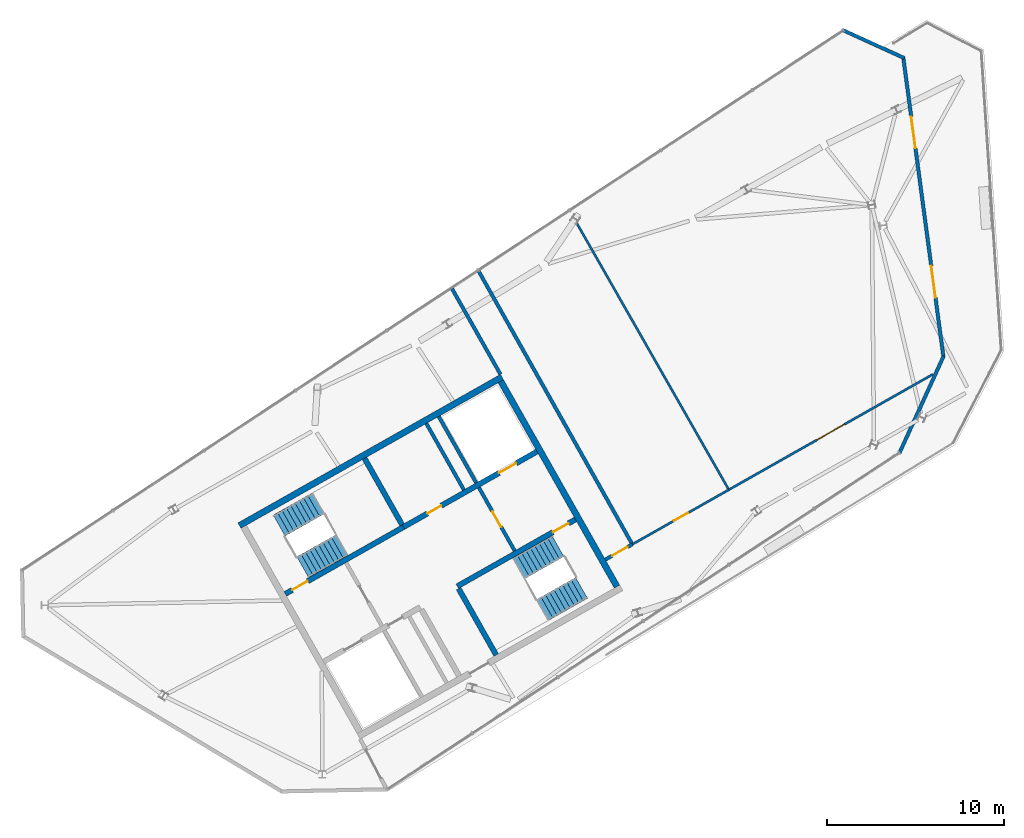
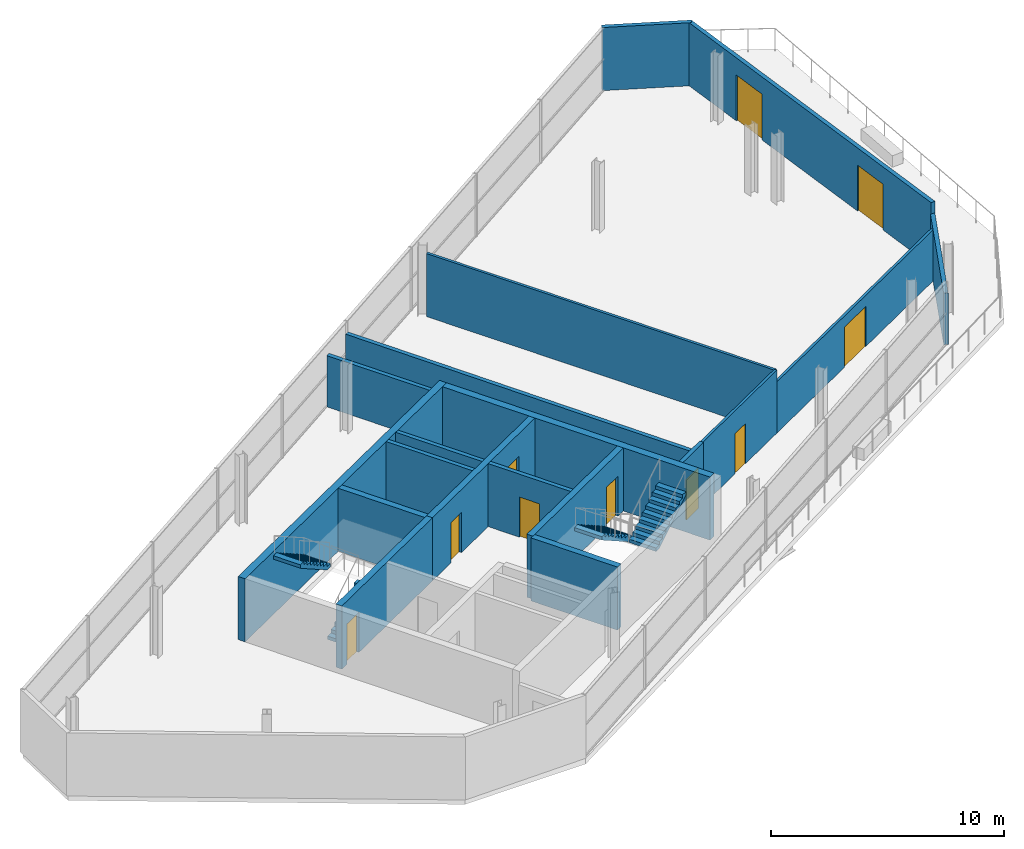
# One storey, part 8 of 10: 19 walls, 10 doors, 4 stair flights, 10 openings, 2 elements without a shape of their own.
"""IFC4 building model written with IfcOpenShell, lengths in metres."""

from ifc_helpers import new_model, si_unit, direction, frame, frame_2d, origin, place, context, subcontext, project, spatial, polyline, rectangle, outline, extrude, material, layer, layer_set, type_object, element, fill, aggregate, save


model = new_model("IFC4")

# Units and contexts
model_context = context("Model", 3, precision=1e-05, world=origin(), true_north=direction((0.0, 1.0)))
body_context = subcontext(model_context, "Body", "Model", "MODEL_VIEW")
ifc_project = project(units=[si_unit("LENGTHUNIT", "METRE"), si_unit("AREAUNIT", "SQUARE_METRE"), si_unit("VOLUMEUNIT", "CUBIC_METRE"), si_unit("PLANEANGLEUNIT", "RADIAN"), si_unit("MASSUNIT", "GRAM", prefix="KILO")], contexts=[model_context])

# Site, building, storey
site_placement = place(None, origin())
site = spatial("IfcSite", under=ifc_project, at=site_placement, CompositionType="ELEMENT")
building_placement = place(site_placement, origin())
building = spatial("IfcBuilding", under=site, at=building_placement, Name="Binnacle Exchange Tower", CompositionType="ELEMENT")
storey_placement = place(building_placement, frame((0.0, 0.0, 354.10009765625)))
storey = spatial("IfcBuildingStorey", under=building, at=storey_placement, Name="L81", CompositionType="ELEMENT", Elevation=354.10009765625)

# Wall, openings, doors
ifc_material_1 = material(Name="Concrete C70/85", Category="concrete")
ifc_layer_1 = layer(ifc_material_1, 0.300048828125)
ifc_layer_set_1 = layer_set([ifc_layer_1], Name="Core wall - front 300")
wall_type_1 = type_object("IfcWallType", Name="Core wall - front 300", PredefinedType="SOLIDWALL", material=ifc_layer_set_1)
wall_1_placement = place(storey_placement, frame((-37.281982421875, 41.4345703125, 0.0), z_axis=(0.0, 0.0, 1.0), x_axis=(0.870364588774, 0.492407841741, 0.0)))
wall_1 = element("IfcWall", 1, at=wall_1_placement, inside=storey, type_object=wall_type_1, Name="Core wall CRWA5", PredefinedType="SOLIDWALL", context=body_context, shape_type="SweptSolid", body=[
    extrude(rectangle(XDim=8.64990234375, YDim=0.300048828125, at=frame_2d((4.324951171875, 0.0))), origin(), (0.0, 0.0, 1.0), 3.2998046875),
])
opening_1_placement = place(wall_1_placement, frame((6.199951171875, 0.0, 0.0)))
opening_1 = element("IfcOpeningElement", 2, at=opening_1_placement, cuts=wall_1, Name="Opening LD13", PredefinedType="OPENING", context=body_context, shape_type="SweptSolid", body=[
    extrude(rectangle(XDim=1.10009765625, YDim=2.10009765625, at=frame_2d((0.550048828125, 1.050048828125))), frame((0.0, 0.159912109375, 0.0), z_axis=(0.0, -1.0, 0.0), x_axis=(1.0, 0.0, 0.0)), (0.0, 0.0, 1.0), 0.320068359375),
])
opening_2_placement = place(wall_1_placement, frame((1.550048828125, 0.0, 0.0)))
opening_2 = element("IfcOpeningElement", 3, at=opening_2_placement, cuts=wall_1, Name="Opening DA10", PredefinedType="OPENING", context=body_context, shape_type="SweptSolid", body=[
    extrude(rectangle(XDim=0.89990234375, YDim=2.10009765625, at=frame_2d((0.449951171875, 1.050048828125))), frame((0.0, 0.159912109375, 0.0), z_axis=(0.0, -1.0, 0.0), x_axis=(1.0, 0.0, 0.0)), (0.0, 0.0, 1.0), 0.320068359375),
])
ifc_material_2 = material(Name="Steel door leaf", Category="steel")
door_type_1 = type_object("IfcDoorType", Name="Fire door - lift landing 1100", OperationType="NOTDEFINED", PredefinedType="DOOR", material=ifc_material_2)
door_1_placement = place(opening_1_placement, origin())
door_1 = element("IfcDoor", 4, at=door_1_placement, inside=storey, type_object=door_type_1, Name="Landing door LD13 L81", OperationType="DOUBLE_DOOR_SLIDING", OverallHeight=2.10009765625, OverallWidth=1.10009765625, PredefinedType="DOOR", context=body_context, shape_type="SweptSolid", body=[
    extrude(rectangle(XDim=1.10009765625, YDim=2.10009765625, at=frame_2d((0.550048828125, 1.050048828125))), frame((0.0, 0.02490234375, 0.0), z_axis=(0.0, -1.0, 0.0), x_axis=(1.0, 0.0, 0.0)), (0.0, 0.0, 1.0), 0.050048828125),
])
fill(opening_1, door_1)
door_type_2 = type_object("IfcDoorType", Name="Fire door 900", OperationType="NOTDEFINED", PredefinedType="DOOR", material=ifc_material_2)
door_2_placement = place(opening_2_placement, origin())
door_2 = element("IfcDoor", 5, at=door_2_placement, inside=storey, type_object=door_type_2, Name="Core room door PANTRY", OperationType="SINGLE_SWING_LEFT", OverallHeight=2.10009765625, OverallWidth=0.89990234375, PredefinedType="DOOR", context=body_context, shape_type="SweptSolid", body=[
    extrude(rectangle(XDim=0.89990234375, YDim=2.10009765625, at=frame_2d((0.449951171875, 1.050048828125))), frame((0.0, 0.02490234375, 0.0), z_axis=(0.0, -1.0, 0.0), x_axis=(1.0, 0.0, 0.0)), (0.0, 0.0, 1.0), 0.050048828125),
])
fill(opening_2, door_2)

# Walls
ifc_layer_2 = layer(ifc_material_1, 0.35009765625)
ifc_layer_set_2 = layer_set([ifc_layer_2], Name="Core wall - outer 350")
wall_type_2 = type_object("IfcWallType", Name="Core wall - outer 350", PredefinedType="SOLIDWALL", material=ifc_layer_set_2)
wall_2_placement = place(storey_placement, frame((-46.5224609375, 41.5205078125, 0.0), z_axis=(0.0, 0.0, 1.0), x_axis=(0.870359753402, 0.492416388494, 0.0)))
element("IfcWall", 6, at=wall_2_placement, inside=storey, type_object=wall_type_2, Name="Core wall CRWA6", PredefinedType="SOLIDWALL", context=body_context, shape_type="SweptSolid", body=[
    extrude(rectangle(XDim=17.0, YDim=0.35009765625, at=frame_2d((8.5, 0.0))), origin(), (0.0, 0.0, 1.0), 3.2998046875),
])
wall_3_placement = place(storey_placement, frame((-31.79248046875, 49.6533203125, 0.0), z_axis=(0.0, 0.0, 1.0), x_axis=(0.492421943245, -0.870356610712, 0.0)))
element("IfcWall", 7, at=wall_3_placement, inside=storey, type_object=wall_type_2, Name="Core wall CRWA22", PredefinedType="SOLIDWALL", context=body_context, shape_type="SweptSolid", body=[
    extrude(rectangle(XDim=13.30029296875, YDim=0.35009765625, at=frame_2d((6.650146484375, 0.0))), origin(), (0.0, 0.0, 1.0), 3.2998046875),
])

# Wall, opening, door
ifc_layer_3 = layer(ifc_material_1, 0.300048828125)
ifc_layer_set_3 = layer_set([ifc_layer_3], Name="Core wall - stair 300")
wall_type_3 = type_object("IfcWallType", Name="Core wall - stair 300", PredefinedType="SOLIDWALL", material=ifc_layer_set_3)
wall_4_placement = place(storey_placement, frame((-34.2451171875, 38.097412109375, 0.0), z_axis=(0.0, 0.0, 1.0), x_axis=(0.870352347706, 0.49242947804, 0.0)))
wall_4 = element("IfcWall", 8, at=wall_4_placement, inside=storey, type_object=wall_type_3, Name="Core wall CRWA3", PredefinedType="SOLIDWALL", context=body_context, shape_type="SweptSolid", body=[
    extrude(rectangle(XDim=7.64990234375, YDim=0.300048828125, at=frame_2d((3.824951171875, 0.0))), origin(), (0.0, 0.0, 1.0), 3.2998046875),
])
opening_3_placement = place(wall_4_placement, frame((6.199951171875, 0.0, 0.0)))
opening_3 = element("IfcOpeningElement", 9, at=opening_3_placement, cuts=wall_4, Name="Opening DA2", PredefinedType="OPENING", context=body_context, shape_type="SweptSolid", body=[
    extrude(rectangle(XDim=1.0, YDim=2.10009765625, at=frame_2d((0.5, 1.050048828125))), frame((0.0, 0.159912109375, 0.0), z_axis=(0.0, -1.0, 0.0), x_axis=(1.0, 0.0, 0.0)), (0.0, 0.0, 1.0), 0.320068359375),
])
door_type_3 = type_object("IfcDoorType", Name="Fire door 1000", OperationType="NOTDEFINED", PredefinedType="DOOR", material=ifc_material_2)
door_3_placement = place(opening_3_placement, frame((1.0, 0.0, 0.0), z_axis=(0.0, 0.0, 1.0), x_axis=(-1.0, 0.0, 0.0)))
door_3 = element("IfcDoor", 10, at=door_3_placement, inside=storey, type_object=door_type_3, Name="Stair door ST-A2", OperationType="SINGLE_SWING_LEFT", OverallHeight=2.10009765625, OverallWidth=1.0, PredefinedType="DOOR", context=body_context, shape_type="SweptSolid", body=[
    extrude(rectangle(XDim=1.0, YDim=2.10009765625, at=frame_2d((0.5, 1.050048828125))), frame((0.0, 0.02490234375, 0.0), z_axis=(0.0, -1.0, 0.0), x_axis=(1.0, 0.0, 0.0)), (0.0, 0.0, 1.0), 0.050048828125),
])
fill(opening_3, door_3)

wall_5_placement = place(storey_placement, frame((-43.940185546875, 37.66748046875, 0.0), z_axis=(0.0, 0.0, 1.0), x_axis=(0.870352347706, 0.49242947804, 0.0)))
wall_5 = element("IfcWall", 11, at=wall_5_placement, inside=storey, type_object=wall_type_3, Name="Core wall CRWA4", PredefinedType="SOLIDWALL", context=body_context, shape_type="SweptSolid", body=[
    extrude(rectangle(XDim=7.64990234375, YDim=0.300048828125, at=frame_2d((3.824951171875, 0.0))), origin(), (0.0, 0.0, 1.0), 3.2998046875),
])
opening_4_placement = place(wall_5_placement, frame((0.449951171875, 0.0, 0.0)))
opening_4 = element("IfcOpeningElement", 12, at=opening_4_placement, cuts=wall_5, Name="Opening DA1", PredefinedType="OPENING", context=body_context, shape_type="SweptSolid", body=[
    extrude(rectangle(XDim=1.0, YDim=2.10009765625, at=frame_2d((0.5, 1.050048828125))), frame((0.0, 0.159912109375, 0.0), z_axis=(0.0, -1.0, 0.0), x_axis=(1.0, 0.0, 0.0)), (0.0, 0.0, 1.0), 0.320068359375),
])
door_4_placement = place(opening_4_placement, origin())
door_4 = element("IfcDoor", 13, at=door_4_placement, inside=storey, type_object=door_type_3, Name="Stair door ST-A1", OperationType="SINGLE_SWING_LEFT", OverallHeight=2.10009765625, OverallWidth=1.0, PredefinedType="DOOR", context=body_context, shape_type="SweptSolid", body=[
    extrude(rectangle(XDim=1.0, YDim=2.10009765625, at=frame_2d((0.5, 1.050048828125))), frame((0.0, 0.02490234375, 0.0), z_axis=(0.0, -1.0, 0.0), x_axis=(1.0, 0.0, 0.0)), (0.0, 0.0, 1.0), 0.050048828125),
])
fill(opening_4, door_4)

# Walls
wall_6_placement = place(storey_placement, frame((-39.473388671875, 45.3076171875, 0.0), z_axis=(0.0, 0.0, 1.0), x_axis=(0.492410799949, -0.870362915164, 0.0)))
element("IfcWall", 14, at=wall_6_placement, inside=storey, type_object=wall_type_3, Name="Core wall CRWA14", PredefinedType="SOLIDWALL", context=body_context, shape_type="SweptSolid", body=[
    extrude(rectangle(XDim=4.300048828125, YDim=0.300048828125, at=frame_2d((2.14990234375, 0.0))), origin(), (0.0, 0.0, 1.0), 3.2998046875),
])
wall_7_placement = place(storey_placement, frame((-34.171142578125, 37.966796875, 0.0), z_axis=(0.0, 0.0, 1.0), x_axis=(0.492435133428, -0.870349147967, 0.0)))
element("IfcWall", 15, at=wall_7_placement, inside=storey, type_object=wall_type_3, Name="Core wall CRWA16", PredefinedType="SOLIDWALL", context=body_context, shape_type="SweptSolid", body=[
    extrude(rectangle(XDim=4.2998046875, YDim=0.300048828125, at=frame_2d((2.14990234375, 0.0))), origin(), (0.0, 0.0, 1.0), 3.2998046875),
])
ifc_material_3 = material(Name="Bronze aluminium louvre", Category="aluminium")
ifc_layer_4 = layer(ifc_material_3, 0.199951171875)
ifc_layer_set_4 = layer_set([ifc_layer_4], Name="External wall - crown louvre 200")
wall_type_4 = type_object("IfcWallType", Name="External wall - crown louvre 200", PredefinedType="STANDARD", material=ifc_layer_set_4)
wall_8_placement = place(storey_placement, frame((-6.834228515625, 51.069091796875, 0.0), z_axis=(0.0, 0.0, 1.0), x_axis=(-0.415043982488, -0.909801347878, 0.0)))
element("IfcWall", 16, at=wall_8_placement, inside=storey, type_object=wall_type_4, Name="External wall EW-C200 L81", PredefinedType="STANDARD", context=body_context, shape_type="SweptSolid", body=[
    extrude(rectangle(XDim=6.030517578125, YDim=0.199951171875, at=frame_2d((3.01513671875, 0.0))), origin(), (0.0, 0.0, 1.0), 2.699951171875),
])

# Wall, openings, doors
wall_9_placement = place(storey_placement, frame((-9.113525390625, 67.94677734375, 0.0), z_axis=(0.0, 0.0, 1.0), x_axis=(0.132931254717, -0.991125260257, 0.0)))
wall_9 = element("IfcWall", 17, at=wall_9_placement, inside=storey, type_object=wall_type_4, Name="External wall EW-C201 L81", PredefinedType="STANDARD", context=body_context, shape_type="SweptSolid", body=[
    extrude(rectangle(XDim=17.083984375, YDim=0.199951171875, at=frame_2d((8.5419921875, 0.0))), origin(), (0.0, 0.0, 1.0), 3.2998046875),
])
opening_5_placement = place(wall_9_placement, frame((11.9052734375, 0.0, 0.0)))
opening_5 = element("IfcOpeningElement", 18, at=opening_5_placement, cuts=wall_9, Name="Opening D-FS25-01", PredefinedType="OPENING", context=body_context, shape_type="SweptSolid", body=[
    extrude(rectangle(XDim=1.800048828125, YDim=2.39990234375, at=frame_2d((0.89990234375, 1.199951171875))), frame((0.0, 0.10986328125, 0.0), z_axis=(0.0, -1.0, 0.0), x_axis=(1.0, 0.0, 0.0)), (0.0, 0.0, 1.0), 0.219970703125),
])
opening_6_placement = place(wall_9_placement, frame((3.4052734375, 0.0, 0.0)))
opening_6 = element("IfcOpeningElement", 19, at=opening_6_placement, cuts=wall_9, Name="Opening D-FS25-02", PredefinedType="OPENING", context=body_context, shape_type="SweptSolid", body=[
    extrude(rectangle(XDim=1.800048828125, YDim=2.39990234375, at=frame_2d((0.89990234375, 1.199951171875))), frame((0.0, 0.10986328125, 0.0), z_axis=(0.0, -1.0, 0.0), x_axis=(1.0, 0.0, 0.0)), (0.0, 0.0, 1.0), 0.219970703125),
])
ifc_material_4 = material(Name="Bronze anodised aluminium frame", Category="aluminium")
door_type_4 = type_object("IfcDoorType", Name="DT DOOR 1800x2400", OperationType="DOUBLE_DOOR_SINGLE_SWING", PredefinedType="DOOR", material=ifc_material_4)
door_5_placement = place(opening_5_placement, origin())
door_5 = element("IfcDoor", 20, at=door_5_placement, inside=storey, type_object=door_type_4, Name="Door D-FS25-01 L81", OperationType="DOUBLE_DOOR_SINGLE_SWING", OverallHeight=2.39990234375, OverallWidth=1.800048828125, PredefinedType="DOOR", context=body_context, shape_type="SweptSolid", body=[
    extrude(rectangle(XDim=1.800048828125, YDim=2.39990234375, at=frame_2d((0.89990234375, 1.199951171875))), frame((0.0, 0.02490234375, 0.0), z_axis=(0.0, -1.0, 0.0), x_axis=(1.0, 0.0, 0.0)), (0.0, 0.0, 1.0), 0.050048828125),
])
fill(opening_5, door_5)
door_6_placement = place(opening_6_placement, origin())
door_6 = element("IfcDoor", 21, at=door_6_placement, inside=storey, type_object=door_type_4, Name="Door D-FS25-02 L81", OperationType="DOUBLE_DOOR_SINGLE_SWING", OverallHeight=2.39990234375, OverallWidth=1.800048828125, PredefinedType="DOOR", context=body_context, shape_type="SweptSolid", body=[
    extrude(rectangle(XDim=1.800048828125, YDim=2.39990234375, at=frame_2d((0.89990234375, 1.199951171875))), frame((0.0, 0.02490234375, 0.0), z_axis=(0.0, -1.0, 0.0), x_axis=(1.0, 0.0, 0.0)), (0.0, 0.0, 1.0), 0.050048828125),
])
fill(opening_6, door_6)

# Walls
wall_10_placement = place(storey_placement, frame((-12.5732421875, 69.4736328125, 0.0), z_axis=(0.0, 0.0, 1.0), x_axis=(0.909798966616, -0.415049202318, 0.0)))
element("IfcWall", 22, at=wall_10_placement, inside=storey, type_object=wall_type_4, Name="External wall EW-C202 L81", PredefinedType="STANDARD", context=body_context, shape_type="SweptSolid", body=[
    extrude(rectangle(XDim=3.86572265625, YDim=0.199951171875, at=frame_2d((1.932861328125, 0.0))), origin(), (0.0, 0.0, 1.0), 3.2998046875),
])
ifc_material_5 = material(Name="Masonry block wall", Category="masonry")
ifc_layer_5 = layer(ifc_material_5, 0.199951171875)
ifc_layer_set_5 = layer_set([ifc_layer_5], Name="Fire wall - block 200")
wall_type_5 = type_object("IfcWallType", Name="Fire wall - block 200", PredefinedType="PARTITIONING", material=ifc_layer_set_5)
wall_11_placement = place(storey_placement, frame((-34.5439453125, 54.873046875, 0.0), z_axis=(0.0, 0.0, 1.0), x_axis=(0.492390708412, -0.870374281714, 0.0)))
element("IfcWall", 23, at=wall_11_placement, inside=storey, type_object=wall_type_5, Name="Partition W02", PredefinedType="PARTITIONING", context=body_context, shape_type="SweptSolid", body=[
    extrude(rectangle(XDim=5.54833984375, YDim=0.199951171875, at=frame_2d((2.774169921875, 0.0))), origin(), (0.0, 0.0, 1.0), 2.679931640625),
])
wall_12_placement = place(storey_placement, frame((-33.0419921875, 55.860107421875, 0.0), z_axis=(0.0, 0.0, 1.0), x_axis=(0.490288138745, -0.871560405828, 0.0)))
element("IfcWall", 24, at=wall_12_placement, inside=storey, type_object=wall_type_5, Name="Partition W03", PredefinedType="PARTITIONING", context=body_context, shape_type="SweptSolid", body=[
    extrude(rectangle(XDim=17.66748046875, YDim=0.199951171875, at=frame_2d((8.833740234375, 0.0))), origin(), (0.0, 0.0, 1.0), 2.679931640625),
])

# Wall, opening, door
wall_13_placement = place(storey_placement, frame((-25.904052734375, 39.60009765625, 0.0), z_axis=(0.0, 0.0, 1.0), x_axis=(0.870482323294, 0.492199679838, 0.0)))
wall_13 = element("IfcWall", 25, at=wall_13_placement, inside=storey, type_object=wall_type_5, Name="Partition W05", PredefinedType="PARTITIONING", context=body_context, shape_type="SweptSolid", body=[
    extrude(rectangle(XDim=1.7509765625, YDim=0.199951171875, at=frame_2d((0.87548828125, 0.0))), origin(), (0.0, 0.0, 1.0), 3.2998046875),
])
opening_7_placement = place(wall_13_placement, frame((0.449951171875, 0.0, 0.0)))
opening_7 = element("IfcOpeningElement", 26, at=opening_7_placement, cuts=wall_13, Name="Opening DL81-01", PredefinedType="OPENING", context=body_context, shape_type="SweptSolid", body=[
    extrude(rectangle(XDim=1.0, YDim=2.10009765625, at=frame_2d((0.5, 1.050048828125))), frame((0.0, 0.10986328125, 0.0), z_axis=(0.0, -1.0, 0.0), x_axis=(1.0, 0.0, 0.0)), (0.0, 0.0, 1.0), 0.219970703125),
])
door_7_placement = place(opening_7_placement, origin())
door_7 = element("IfcDoor", 27, at=door_7_placement, inside=storey, type_object=door_type_3, Name="Door DL81-01", OperationType="SINGLE_SWING_RIGHT", OverallHeight=2.10009765625, OverallWidth=1.0, PredefinedType="DOOR", context=body_context, shape_type="SweptSolid", body=[
    extrude(rectangle(XDim=1.0, YDim=2.10009765625, at=frame_2d((0.5, 1.050048828125))), frame((0.0, 0.02490234375, 0.0), z_axis=(0.0, -1.0, 0.0), x_axis=(1.0, 0.0, 0.0)), (0.0, 0.0, 1.0), 0.050048828125),
])
fill(opening_7, door_7)

ifc_layer_6 = layer(ifc_material_5, 0.199951171875)
ifc_layer_set_6 = layer_set([ifc_layer_6], Name="Fire wall - vestibule 200")
wall_type_6 = type_object("IfcWallType", Name="Fire wall - vestibule 200", PredefinedType="PARTITIONING", material=ifc_layer_set_6)
wall_14_placement = place(storey_placement, frame((-33.030517578125, 43.66748046875, 0.0), z_axis=(0.0, 0.0, 1.0), x_axis=(0.492408451753, -0.87036424366, 0.0)))
wall_14 = element("IfcWall", 28, at=wall_14_placement, inside=storey, type_object=wall_type_6, Name="Core wall CRWA19", PredefinedType="PARTITIONING", context=body_context, shape_type="SweptSolid", body=[
    extrude(rectangle(XDim=4.099853515625, YDim=0.199951171875, at=frame_2d((2.0498046875, 0.0))), origin(), (0.0, 0.0, 1.0), 3.2998046875),
])
opening_8_placement = place(wall_14_placement, frame((1.550048828125, 0.0, 0.0)))
opening_8 = element("IfcOpeningElement", 29, at=opening_8_placement, cuts=wall_14, Name="Opening DA4", PredefinedType="OPENING", context=body_context, shape_type="SweptSolid", body=[
    extrude(rectangle(XDim=1.0, YDim=2.10009765625, at=frame_2d((0.5, 1.050048828125))), frame((0.0, 0.10986328125, 0.0), z_axis=(0.0, -1.0, 0.0), x_axis=(1.0, 0.0, 0.0)), (0.0, 0.0, 1.0), 0.219970703125),
])
door_8_placement = place(opening_8_placement, origin())
door_8 = element("IfcDoor", 30, at=door_8_placement, inside=storey, type_object=door_type_3, Name="Vestibule door VEST-E", OperationType="SINGLE_SWING_RIGHT", OverallHeight=2.10009765625, OverallWidth=1.0, PredefinedType="DOOR", context=body_context, shape_type="SweptSolid", body=[
    extrude(rectangle(XDim=1.0, YDim=2.10009765625, at=frame_2d((0.5, 1.050048828125))), frame((0.0, 0.02490234375, 0.0), z_axis=(0.0, -1.0, 0.0), x_axis=(1.0, 0.0, 0.0)), (0.0, 0.0, 1.0), 0.050048828125),
])
fill(opening_8, door_8)

# Wall
ifc_material_6 = material(Name="Gypsum partition")
ifc_layer_7 = layer(ifc_material_6, 0.125)
ifc_layer_set_7 = layer_set([ifc_layer_7], Name="Partition 125")
wall_type_7 = type_object("IfcWallType", Name="Partition 125", PredefinedType="PARTITIONING", material=ifc_layer_set_7)
wall_15_placement = place(storey_placement, frame((-27.510986328125, 58.56396484375, 0.0), z_axis=(0.0, 0.0, 1.0), x_axis=(0.495459338806, -0.868631132063, 0.0)))
element("IfcWall", 31, at=wall_15_placement, inside=storey, type_object=wall_type_7, Name="Partition W04", PredefinedType="PARTITIONING", context=body_context, shape_type="SweptSolid", body=[
    extrude(rectangle(XDim=17.297119140625, YDim=0.125, at=frame_2d((8.6484375, 0.0))), origin(), (0.0, 0.0, 1.0), 3.2998046875),
])

# Wall, opening, door
wall_16_placement = place(storey_placement, frame((-24.3798828125, 40.4619140625, 0.0), z_axis=(0.0, 0.0, 1.0), x_axis=(0.87036048388, 0.492415097353, 0.0)))
wall_16 = element("IfcWall", 32, at=wall_16_placement, inside=storey, type_object=wall_type_7, Name="Partition W06", PredefinedType="PARTITIONING", context=body_context, shape_type="SweptSolid", body=[
    extrude(rectangle(XDim=6.2490234375, YDim=0.125, at=frame_2d((3.12451171875, 0.0))), origin(), (0.0, 0.0, 1.0), 3.2998046875),
])
opening_9_placement = place(wall_16_placement, frame((2.699951171875, 0.0, 0.0)))
opening_9 = element("IfcOpeningElement", 33, at=opening_9_placement, cuts=wall_16, Name="Opening DL81-02", PredefinedType="OPENING", context=body_context, shape_type="SweptSolid", body=[
    extrude(rectangle(XDim=0.89990234375, YDim=2.10009765625, at=frame_2d((0.449951171875, 1.050048828125))), frame((0.0, 0.072509765625, 0.0), z_axis=(0.0, -1.0, 0.0), x_axis=(1.0, 0.0, 0.0)), (0.0, 0.0, 1.0), 0.14501953125),
])
ifc_material_7 = material(Name="Timber door leaf", Category="wood")
door_type_5 = type_object("IfcDoorType", Name="Door 900", OperationType="NOTDEFINED", PredefinedType="DOOR", material=ifc_material_7)
door_9_placement = place(opening_9_placement, origin())
door_9 = element("IfcDoor", 34, at=door_9_placement, inside=storey, type_object=door_type_5, Name="Door DL81-02", OperationType="SINGLE_SWING_RIGHT", OverallHeight=2.10009765625, OverallWidth=0.89990234375, PredefinedType="DOOR", context=body_context, shape_type="SweptSolid", body=[
    extrude(rectangle(XDim=0.89990234375, YDim=2.10009765625, at=frame_2d((0.449951171875, 1.050048828125))), frame((0.0, 0.02490234375, 0.0), z_axis=(0.0, -1.0, 0.0), x_axis=(1.0, 0.0, 0.0)), (0.0, 0.0, 1.0), 0.050048828125),
])
fill(opening_9, door_9)

wall_17_placement = place(storey_placement, frame((-18.94091796875, 43.5390625, 0.0), z_axis=(0.0, 0.0, 1.0), x_axis=(0.870355301806, 0.492424256733, 0.0)))
wall_17 = element("IfcWall", 35, at=wall_17_placement, inside=storey, type_object=wall_type_7, Name="Partition W07", PredefinedType="PARTITIONING", context=body_context, shape_type="SweptSolid", body=[
    extrude(rectangle(XDim=13.21630859375, YDim=0.125, at=frame_2d((6.608154296875, 0.0))), origin(), (0.0, 0.0, 1.0), 2.679931640625),
])
opening_10_placement = place(wall_17_placement, frame((5.699951171875, 0.0, 0.0)))
opening_10 = element("IfcOpeningElement", 36, at=opening_10_placement, cuts=wall_17, Name="Opening DL81-03", PredefinedType="OPENING", context=body_context, shape_type="SweptSolid", body=[
    extrude(rectangle(XDim=1.800048828125, YDim=2.10009765625, at=frame_2d((0.89990234375, 1.050048828125))), frame((0.0, 0.072509765625, 0.0), z_axis=(0.0, -1.0, 0.0), x_axis=(1.0, 0.0, 0.0)), (0.0, 0.0, 1.0), 0.14501953125),
])
door_type_6 = type_object("IfcDoorType", Name="Double door 1800", OperationType="NOTDEFINED", PredefinedType="DOOR", material=ifc_material_7)
door_10_placement = place(opening_10_placement, origin())
door_10 = element("IfcDoor", 37, at=door_10_placement, inside=storey, type_object=door_type_6, Name="Door DL81-03", OperationType="DOUBLE_DOOR_SINGLE_SWING", OverallHeight=2.10009765625, OverallWidth=1.800048828125, PredefinedType="DOOR", context=body_context, shape_type="SweptSolid", body=[
    extrude(rectangle(XDim=1.800048828125, YDim=2.10009765625, at=frame_2d((0.89990234375, 1.050048828125))), frame((0.0, 0.02490234375, 0.0), z_axis=(0.0, -1.0, 0.0), x_axis=(1.0, 0.0, 0.0)), (0.0, 0.0, 1.0), 0.050048828125),
])
fill(opening_10, door_10)

# Walls
ifc_layer_8 = layer(ifc_material_5, 0.199951171875)
ifc_layer_set_8 = layer_set([ifc_layer_8], Name="Riser wall 200")
wall_type_8 = type_object("IfcWallType", Name="Riser wall 200", PredefinedType="SOLIDWALL", material=ifc_layer_set_8)
wall_18_placement = place(storey_placement, frame((-35.991943359375, 47.27734375, 0.0), z_axis=(0.0, 0.0, 1.0), x_axis=(0.492410799949, -0.870362915164, 0.0)))
element("IfcWall", 38, at=wall_18_placement, inside=storey, type_object=wall_type_8, Name="Core wall CRWA18", PredefinedType="SOLIDWALL", context=body_context, shape_type="SweptSolid", body=[
    extrude(rectangle(XDim=4.300048828125, YDim=0.199951171875, at=frame_2d((2.14990234375, 0.0))), origin(), (0.0, 0.0, 1.0), 3.2998046875),
])
wall_19_placement = place(storey_placement, frame((-35.295654296875, 47.671142578125, 0.0), z_axis=(0.0, 0.0, 1.0), x_axis=(0.492435133428, -0.870349147967, 0.0)))
element("IfcWall", 39, at=wall_19_placement, inside=storey, type_object=wall_type_8, Name="Core wall CRWA20", PredefinedType="SOLIDWALL", context=body_context, shape_type="SweptSolid", body=[
    extrude(rectangle(XDim=4.2998046875, YDim=0.199951171875, at=frame_2d((2.14990234375, 0.0))), origin(), (0.0, 0.0, 1.0), 3.2998046875),
])

# Stair, stair flights
ifc_material_8 = material(Name="Concrete C35/45", Category="concrete")
stair_type = type_object("IfcStairType", Name="STAIR 20 RISERS 180", PredefinedType="HALF_TURN_STAIR", material=ifc_material_8)
stair_1_placement = place(storey_placement, origin())
stair_1 = element("IfcStair", 40, at=stair_1_placement, inside=storey, type_object=stair_type, Name="L81 Escape stair A1", PredefinedType="HALF_TURN_STAIR")
stair_flight_type = type_object("IfcStairFlightType", Name="STAIR FLIGHT 180X280", PredefinedType="STRAIGHT", material=ifc_material_8)
stair_flight_1_placement = place(storey_placement, frame((-42.9541015625, 39.17333984375, 0.0), z_axis=(0.0, 0.0, 1.0), x_axis=(0.870355584213, 0.492423757581, 0.0)))
stair_flight_1 = element("IfcStairFlight", 41, at=stair_flight_1_placement, type_object=stair_flight_type, Name="STA1 flight 1", NumberOfRisers=10, NumberOfTreads=9, PredefinedType="STRAIGHT", RiserHeight=0.18, TreadLength=0.28, context=body_context, shape_type="SweptSolid", body=[
    extrude(outline(polyline([(0.0, 0.0), (0.0, 0.179931640625), (0.280029296875, 0.179931640625), (0.280029296875, 0.360107421875), (0.56005859375, 0.360107421875), (0.56005859375, 0.5400390625), (0.840087890625, 0.5400390625), (0.840087890625, 0.719970703125), (1.1201171875, 0.719970703125), (1.1201171875, 0.89990234375), (1.39990234375, 0.89990234375), (1.39990234375, 1.080078125), (1.679931640625, 1.080078125), (1.679931640625, 1.260009765625), (1.9599609375, 1.260009765625), (1.9599609375, 1.43994140625), (2.239990234375, 1.43994140625), (2.239990234375, 1.6201171875), (2.52001953125, 1.6201171875), (2.52001953125, 1.800048828125), (2.52001953125, 1.44189453125), (0.277099609375, 0.0), (0.0, 0.0)])), frame((0.0, 0.675048828125, 0.0), z_axis=(0.0, -1.0, 0.0), x_axis=(1.0, 0.0, 0.0)), (0.0, 0.0, 1.0), 1.35009765625),
])
stair_flight_2_placement = place(storey_placement, frame((-42.09033203125, 42.76416015625, 1.7998046875), z_axis=(0.0, 0.0, 1.0), x_axis=(-0.870355584213, -0.492423757581, 0.0)))
stair_flight_2 = element("IfcStairFlight", 42, at=stair_flight_2_placement, type_object=stair_flight_type, Name="STA1 flight 2", NumberOfRisers=10, NumberOfTreads=9, PredefinedType="STRAIGHT", RiserHeight=0.18, TreadLength=0.28, context=body_context, shape_type="SweptSolid", body=[
    extrude(outline(polyline([(0.0, 0.0), (0.0, 0.179931640625), (0.280029296875, 0.179931640625), (0.280029296875, 0.360107421875), (0.56005859375, 0.360107421875), (0.56005859375, 0.5400390625), (0.840087890625, 0.5400390625), (0.840087890625, 0.719970703125), (1.1201171875, 0.719970703125), (1.1201171875, 0.89990234375), (1.39990234375, 0.89990234375), (1.39990234375, 1.080078125), (1.679931640625, 1.080078125), (1.679931640625, 1.260009765625), (1.9599609375, 1.260009765625), (1.9599609375, 1.43994140625), (2.239990234375, 1.43994140625), (2.239990234375, 1.6201171875), (2.52001953125, 1.6201171875), (2.52001953125, 1.800048828125), (2.52001953125, 1.44189453125), (0.277099609375, 0.0), (0.0, 0.0)])), frame((0.0, 0.675048828125, 0.0), z_axis=(0.0, -1.0, 0.0), x_axis=(1.0, 0.0, 0.0)), (0.0, 0.0, 1.0), 1.35009765625),
])
aggregate(stair_1, [stair_flight_1, stair_flight_2])

stair_2_placement = place(storey_placement, origin())
stair_2 = element("IfcStair", 43, at=stair_2_placement, inside=storey, type_object=stair_type, Name="L81 Escape stair A2", PredefinedType="HALF_TURN_STAIR")
stair_flight_3_placement = place(storey_placement, frame((-28.5732421875, 40.3583984375, 0.0), z_axis=(0.0, 0.0, 1.0), x_axis=(-0.870355584213, -0.492423757581, 0.0)))
stair_flight_3 = element("IfcStairFlight", 44, at=stair_flight_3_placement, type_object=stair_flight_type, Name="STA2 flight 1", NumberOfRisers=10, NumberOfTreads=9, PredefinedType="STRAIGHT", RiserHeight=0.18, TreadLength=0.28, context=body_context, shape_type="SweptSolid", body=[
    extrude(outline(polyline([(0.0, 0.0), (0.0, 0.179931640625), (0.280029296875, 0.179931640625), (0.280029296875, 0.360107421875), (0.56005859375, 0.360107421875), (0.56005859375, 0.5400390625), (0.840087890625, 0.5400390625), (0.840087890625, 0.719970703125), (1.1201171875, 0.719970703125), (1.1201171875, 0.89990234375), (1.39990234375, 0.89990234375), (1.39990234375, 1.080078125), (1.679931640625, 1.080078125), (1.679931640625, 1.260009765625), (1.9599609375, 1.260009765625), (1.9599609375, 1.43994140625), (2.239990234375, 1.43994140625), (2.239990234375, 1.6201171875), (2.52001953125, 1.6201171875), (2.52001953125, 1.800048828125), (2.52001953125, 1.44189453125), (0.277099609375, 0.0), (0.0, 0.0)])), frame((0.0, 0.675048828125, 0.0), z_axis=(0.0, -1.0, 0.0), x_axis=(1.0, 0.0, 0.0)), (0.0, 0.0, 1.0), 1.35009765625),
])
stair_flight_4_placement = place(storey_placement, frame((-29.43701171875, 36.767578125, 1.7998046875), z_axis=(0.0, 0.0, 1.0), x_axis=(0.870355584213, 0.492423757581, 0.0)))
stair_flight_4 = element("IfcStairFlight", 45, at=stair_flight_4_placement, type_object=stair_flight_type, Name="STA2 flight 2", NumberOfRisers=10, NumberOfTreads=9, PredefinedType="STRAIGHT", RiserHeight=0.18, TreadLength=0.28, context=body_context, shape_type="SweptSolid", body=[
    extrude(outline(polyline([(0.0, 0.0), (0.0, 0.179931640625), (0.280029296875, 0.179931640625), (0.280029296875, 0.360107421875), (0.56005859375, 0.360107421875), (0.56005859375, 0.5400390625), (0.840087890625, 0.5400390625), (0.840087890625, 0.719970703125), (1.1201171875, 0.719970703125), (1.1201171875, 0.89990234375), (1.39990234375, 0.89990234375), (1.39990234375, 1.080078125), (1.679931640625, 1.080078125), (1.679931640625, 1.260009765625), (1.9599609375, 1.260009765625), (1.9599609375, 1.43994140625), (2.239990234375, 1.43994140625), (2.239990234375, 1.6201171875), (2.52001953125, 1.6201171875), (2.52001953125, 1.800048828125), (2.52001953125, 1.44189453125), (0.277099609375, 0.0), (0.0, 0.0)])), frame((0.0, 0.675048828125, 0.0), z_axis=(0.0, -1.0, 0.0), x_axis=(1.0, 0.0, 0.0)), (0.0, 0.0, 1.0), 1.35009765625),
])
aggregate(stair_2, [stair_flight_3, stair_flight_4])

save(model, "model.ifc")
